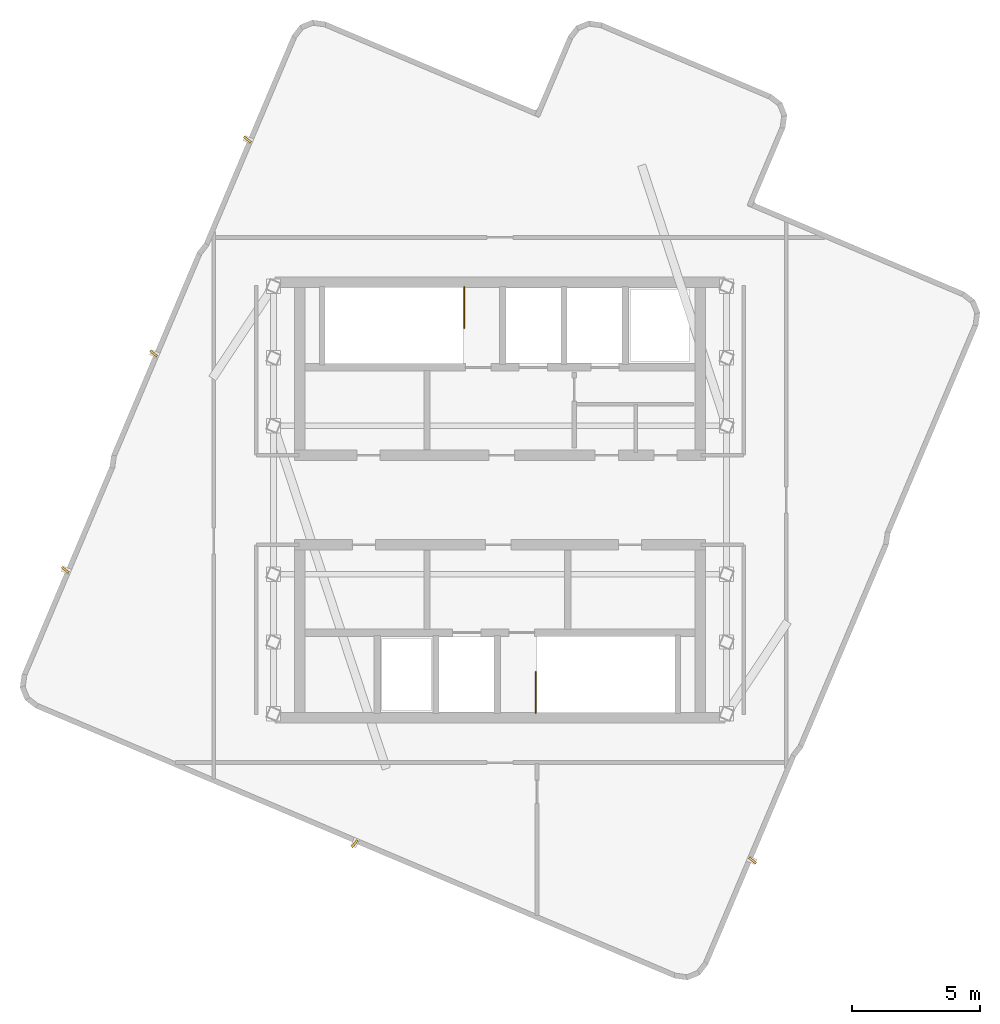
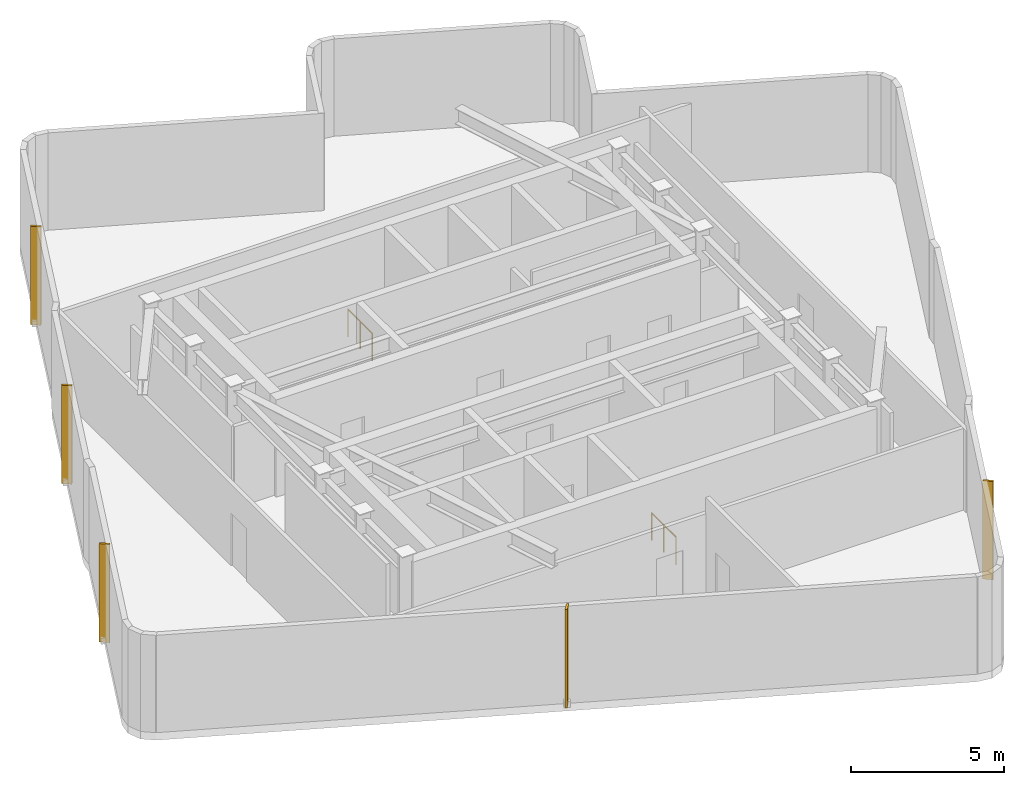
# One storey, part 4 of 4: 5 shading devices, 2 railings.
"""IFC4 building model written with IfcOpenShell, lengths in metres."""

from ifc_helpers import new_model, si_unit, direction, frame, origin, origin_2d, place, context, subcontext, project, spatial, rectangle, circle, extrude, material, layer, layer_set, type_object, element, save


model = new_model("IFC4")

# Units and contexts
model_context = context("Model", 3, precision=1e-05, world=origin(), true_north=direction((0.0, 1.0)))
body_context = subcontext(model_context, "Body", "Model", "MODEL_VIEW")
ifc_project = project(units=[si_unit("LENGTHUNIT", "METRE"), si_unit("AREAUNIT", "SQUARE_METRE"), si_unit("VOLUMEUNIT", "CUBIC_METRE"), si_unit("PLANEANGLEUNIT", "RADIAN"), si_unit("MASSUNIT", "GRAM", prefix="KILO")], contexts=[model_context])

# Site, building, storey
site_placement = place(None, origin())
site = spatial("IfcSite", under=ifc_project, at=site_placement, CompositionType="ELEMENT")
building_placement = place(site_placement, origin())
building = spatial("IfcBuilding", under=site, at=building_placement, Name="Solmarez Civic Tower", CompositionType="ELEMENT")
storey_placement = place(building_placement, frame((0.0, 0.0, 301.679931640625)))
storey = spatial("IfcBuildingStorey", under=building, at=storey_placement, Name="L81 Crown", CompositionType="ELEMENT", Elevation=301.679931640625)

# Railings
ifc_material_1 = material(Name="Painted Steel Stairwell Safety Guard", Category="steel")
railing_type = type_object("IfcRailingType", Name="GUARD-STAIR-1120", PredefinedType="BALUSTRADE", material=ifc_material_1)
railing_1_placement = place(storey_placement, frame((-1.39990234375, 8.320068359375, 0.0)))
element("IfcRailing", 1, at=railing_1_placement, inside=storey, type_object=railing_type, Name="L81 Crown ST-1 top well guard 1", PredefinedType="BALUSTRADE", context=body_context, shape_type="SweptSolid", body=[
    extrude(circle(Radius=0.02392578125, at=origin_2d()), frame((0.0, 0.0, 1.09619140625), z_axis=(0.0, -1.0, 0.0), x_axis=(1.0, 0.0, 0.0)), (0.0, 0.0, 1.0), 1.60009765625),
    extrude(circle(Radius=0.02099609375, at=origin_2d()), origin(), (0.0, 0.0, 1.0), 1.072021484375),
    extrude(circle(Radius=0.02099609375, at=origin_2d()), frame((0.0, -0.800048828125, 0.0)), (0.0, 0.0, 1.0), 1.072021484375),
    extrude(circle(Radius=0.02099609375, at=origin_2d()), frame((0.0, -1.60009765625, 0.0)), (0.0, 0.0, 1.0), 1.072021484375),
])
railing_2_placement = place(storey_placement, frame((1.39990234375, -8.320068359375, 0.0)))
element("IfcRailing", 2, at=railing_2_placement, inside=storey, type_object=railing_type, Name="L81 Crown ST-2 top well guard 1", PredefinedType="BALUSTRADE", context=body_context, shape_type="SweptSolid", body=[
    extrude(circle(Radius=0.02392578125, at=origin_2d()), frame((0.0, 0.0, 1.09619140625), z_axis=(0.0, 1.0, 0.0), x_axis=(-1.0, 0.0, 0.0)), (0.0, 0.0, 1.0), 1.60009765625),
    extrude(circle(Radius=0.02099609375, at=origin_2d()), origin(), (0.0, 0.0, 1.0), 1.072021484375),
    extrude(circle(Radius=0.02099609375, at=origin_2d()), frame((0.0, 0.800048828125, 0.0)), (0.0, 0.0, 1.0), 1.072021484375),
    extrude(circle(Radius=0.02099609375, at=origin_2d()), frame((0.0, 1.60009765625, 0.0)), (0.0, 0.0, 1.0), 1.072021484375),
])

# Shading devices
ifc_material_2 = material(Name="Bronze Anodised Aluminium EN AW-6063 T6", Category="aluminium")
ifc_layer = layer(ifc_material_2, 0.080078125)
ifc_layer_set = layer_set([ifc_layer], Name="Bronze Anodised Aluminium EN AW-6063 T6")
shading_device_type = type_object("IfcShadingDeviceType", Name="LOUVRE-PLANT-1", PredefinedType="USERDEFINED", material=ifc_layer_set)
for number, where, z_axis, x_axis, name in (
    (3, (9.868896484375, -14.083984375, -0.0400390625), (0.0, 0.0, 1.0), (0.784549156947, -0.620066625722, 0.0), "L81 Crown Acoustic Plant Louvre LVR-L81 Crown-01"),
    (4, (-5.676025390625, -13.424072265625, -0.0400390625), (0.0, 0.0, 1.0), (-0.620052932662, -0.784559979031, 0.0), "L81 Crown Acoustic Plant Louvre LVR-L81 Crown-02"),
    (5, (-16.97998046875, -2.73193359375, -0.0400390625), (0.0, 0.0, 1.0), (-0.78461408587, 0.619984464527, 0.0), "L81 Crown Acoustic Plant Louvre LVR-L81 Crown-03"),
    (6, (-13.529052734375, 5.720947265625, -0.0400390625), (0.0, 0.0, 1.0), (-0.784592443852, 0.620011852347, 0.0), "L81 Crown Acoustic Plant Louvre LVR-L81 Crown-04"),
    (7, (-9.868896484375, 14.083984375, -0.0400390625), (0.0, 0.0, 1.0), (-0.784549156947, 0.620066625722, 0.0), "L81 Crown Acoustic Plant Louvre LVR-L81 Crown-05"),
):
    element("IfcShadingDevice", number, at=place(storey_placement, frame(where, z_axis=z_axis, x_axis=x_axis)), inside=storey, type_object=shading_device_type, Name=name, ObjectType="LOUVRE", PredefinedType="USERDEFINED", context=body_context, shape_type="SweptSolid", body=[
        extrude(rectangle(XDim=0.35009765625, YDim=0.080078125, at=origin_2d()), origin(), (0.0, 0.0, 1.0), 3.929931640625),
    ])

save(model, "model.ifc")
